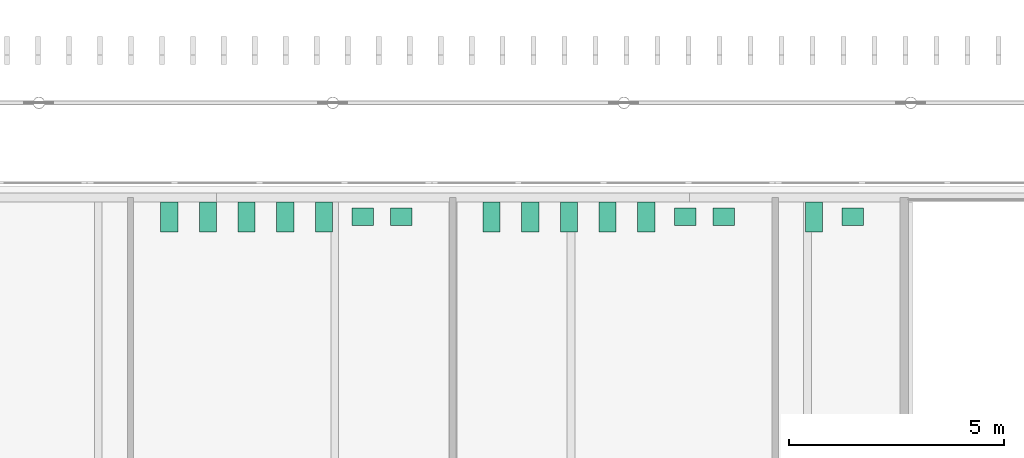
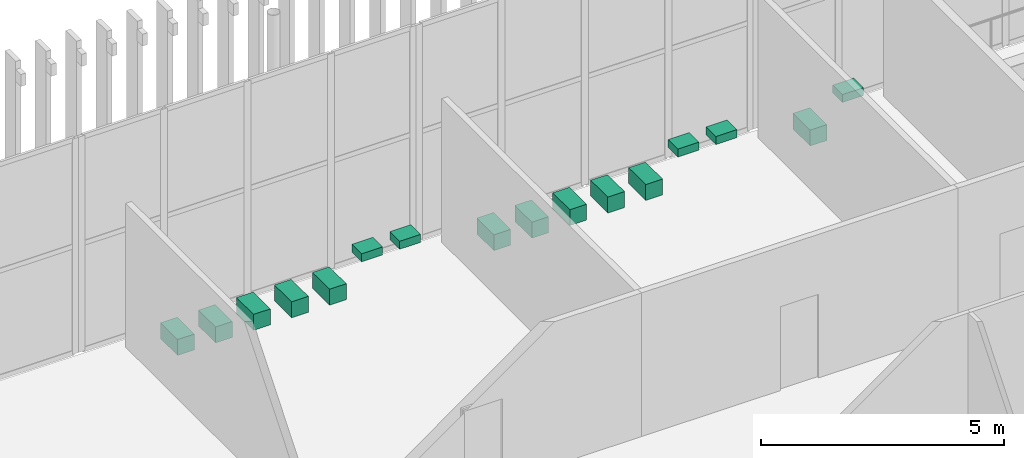
# One storey, part 170 of 170: 16 sanitary terminals.
"""IFC4 building model written with IfcOpenShell, lengths in metres."""

from ifc_helpers import new_model, si_unit, direction, frame, origin, origin_2d, place, context, subcontext, project, spatial, rectangle, extrude, material, type_object, element, save


model = new_model("IFC4")

# Units and contexts
model_context = context("Model", 3, precision=1e-05, world=origin(), true_north=direction((0.0, 1.0)))
body_context = subcontext(model_context, "Body", "Model", "MODEL_VIEW")
ifc_project = project(units=[si_unit("LENGTHUNIT", "METRE"), si_unit("AREAUNIT", "SQUARE_METRE"), si_unit("VOLUMEUNIT", "CUBIC_METRE"), si_unit("PLANEANGLEUNIT", "RADIAN"), si_unit("MASSUNIT", "GRAM", prefix="KILO")], contexts=[model_context])

# Site, building, storey
site_placement = place(None, origin())
site = spatial("IfcSite", under=ifc_project, at=site_placement, CompositionType="ELEMENT")
building_placement = place(site_placement, origin())
building = spatial("IfcBuilding", under=site, at=building_placement, Name="Ravi Spectrum Wholesale Market", CompositionType="ELEMENT")
storey_placement = place(building_placement, frame((0.0, 0.0, 5.39990234375)))
storey = spatial("IfcBuildingStorey", under=building, at=storey_placement, Name="L01", CompositionType="ELEMENT", Elevation=5.39990234375)

# Sanitary terminals
ifc_material_1 = material(Name="Vitreous china")
sanitary_terminal_type_1 = type_object("IfcSanitaryTerminalType", Name="Wash hand basin", PredefinedType="WASHHANDBASIN", material=ifc_material_1)
for number, where, z_axis, x_axis, name in (
    (1, (84.39990234375, 194.550048828125, 0.7001953125), (0.0, 0.0, 1.0), (1.0, 0.0, 0.0), "Basin L01-H1-16-6"),
    (2, (85.300048828125, 194.550048828125, 0.7001953125), (0.0, 0.0, 1.0), (1.0, 0.0, 0.0), "Basin L01-H1-16-7"),
    (3, (91.89990234375, 194.550048828125, 0.7001953125), (0.0, 0.0, 1.0), (1.0, 0.0, 0.0), "Basin L01-H1-17-6"),
    (4, (92.800048828125, 194.550048828125, 0.7001953125), (0.0, 0.0, 1.0), (1.0, 0.0, 0.0), "Basin L01-H1-17-7"),
    (5, (95.800048828125, 194.550048828125, 0.7001953125), (0.0, 0.0, 1.0), (1.0, 0.0, 0.0), "Basin L01-H1-18-2"),
):
    element("IfcSanitaryTerminal", number, at=place(storey_placement, frame(where, z_axis=z_axis, x_axis=x_axis)), inside=storey, type_object=sanitary_terminal_type_1, Name=name, PredefinedType="WASHHANDBASIN", context=body_context, shape_type="SweptSolid", body=[
        extrude(rectangle(XDim=0.5, YDim=0.39990234375, at=origin_2d()), origin(), (0.0, 0.0, 1.0), 0.199951171875),
    ])
ifc_material_2 = material(Name="Vitreous china")
sanitary_terminal_type_2 = type_object("IfcSanitaryTerminalType", Name="Water closet pan", PredefinedType="WCSEAT", material=ifc_material_2)
for number, where, z_axis, x_axis, name in (
    (6, (79.89990234375, 194.550048828125, 0.000244140625), (0.0, 0.0, 1.0), (1.0, 0.0, 0.0), "Water closet L01-H1-16-1"),
    (7, (80.800048828125, 194.550048828125, 0.000244140625), (0.0, 0.0, 1.0), (1.0, 0.0, 0.0), "Water closet L01-H1-16-2"),
    (8, (81.699951171875, 194.550048828125, 0.000244140625), (0.0, 0.0, 1.0), (1.0, 0.0, 0.0), "Water closet L01-H1-16-3"),
    (9, (82.60009765625, 194.550048828125, 0.000244140625), (0.0, 0.0, 1.0), (1.0, 0.0, 0.0), "Water closet L01-H1-16-4"),
    (10, (83.5, 194.550048828125, 0.000244140625), (0.0, 0.0, 1.0), (1.0, 0.0, 0.0), "Water closet L01-H1-16-5"),
    (11, (87.39990234375, 194.550048828125, 0.000244140625), (0.0, 0.0, 1.0), (1.0, 0.0, 0.0), "Water closet L01-H1-17-1"),
    (12, (88.300048828125, 194.550048828125, 0.000244140625), (0.0, 0.0, 1.0), (1.0, 0.0, 0.0), "Water closet L01-H1-17-2"),
    (13, (89.199951171875, 194.550048828125, 0.000244140625), (0.0, 0.0, 1.0), (1.0, 0.0, 0.0), "Water closet L01-H1-17-3"),
    (14, (90.10009765625, 194.550048828125, 0.000244140625), (0.0, 0.0, 1.0), (1.0, 0.0, 0.0), "Water closet L01-H1-17-4"),
    (15, (91.0, 194.550048828125, 0.000244140625), (0.0, 0.0, 1.0), (1.0, 0.0, 0.0), "Water closet L01-H1-17-5"),
    (16, (94.89990234375, 194.550048828125, 0.000244140625), (0.0, 0.0, 1.0), (1.0, 0.0, 0.0), "Water closet L01-H1-18-1"),
):
    element("IfcSanitaryTerminal", number, at=place(storey_placement, frame(where, z_axis=z_axis, x_axis=x_axis)), inside=storey, type_object=sanitary_terminal_type_2, Name=name, PredefinedType="WCSEAT", context=body_context, shape_type="SweptSolid", body=[
        extrude(rectangle(XDim=0.39990234375, YDim=0.699951171875, at=origin_2d()), origin(), (0.0, 0.0, 1.0), 0.39990234375),
    ])

save(model, "model.ifc")
